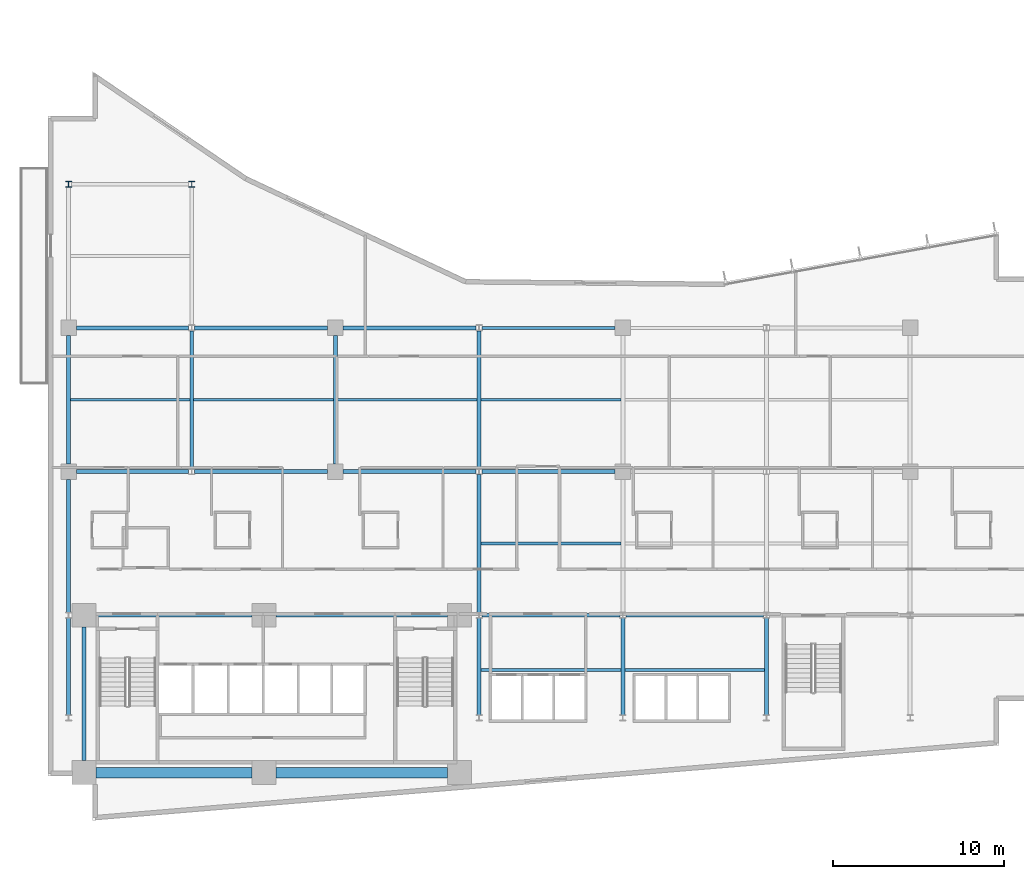
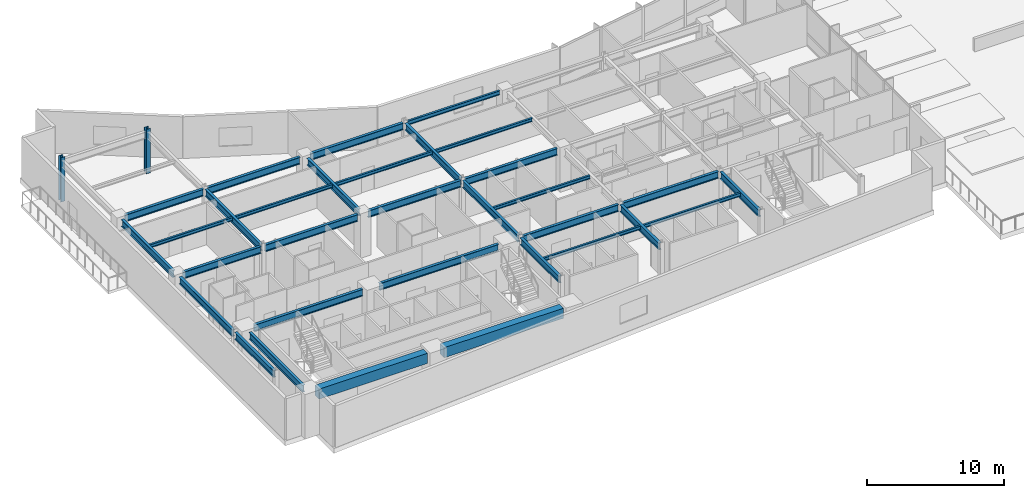
# One storey, part 3 of 20: 32 beams, 2 columns.
"""IFC4 building model written with IfcOpenShell, lengths in metres."""

from ifc_helpers import new_model, si_unit, direction, frame, origin, origin_2d, place, context, subcontext, project, spatial, rectangle, i_section, extrude, material, material_profile, profile_set, type_object, element, save


model = new_model("IFC4")

# Units and contexts
model_context = context("Model", 3, precision=1e-05, world=origin(), true_north=direction((0.0, 1.0)))
body_context = subcontext(model_context, "Body", "Model", "MODEL_VIEW")
ifc_project = project(units=[si_unit("LENGTHUNIT", "METRE"), si_unit("AREAUNIT", "SQUARE_METRE"), si_unit("VOLUMEUNIT", "CUBIC_METRE"), si_unit("PLANEANGLEUNIT", "RADIAN"), si_unit("MASSUNIT", "GRAM", prefix="KILO")], contexts=[model_context])

# Site, building, storey
site_placement = place(None, origin())
site = spatial("IfcSite", under=ifc_project, at=site_placement, CompositionType="ELEMENT")
building_placement = place(site_placement, origin())
building = spatial("IfcBuilding", under=site, at=building_placement, Name="Varnakote Quay Hospital", CompositionType="ELEMENT")
storey_placement = place(building_placement, frame((0.0, 0.0, 22.5)))
storey = spatial("IfcBuildingStorey", under=building, at=storey_placement, Name="L05", CompositionType="ELEMENT", Elevation=22.5)

# Columns
ifc_material_1 = material(Name="Structural steel AS/NZS 3678 Grade 350 (fy 340 MPa)", Category="steel")
ifc_material_profile_1 = material_profile(ifc_material_1, i_section(OverallWidth=0.35009765625, OverallDepth=0.340087890625, WebThickness=0.01611328125, FlangeThickness=0.028076171875, at=origin_2d()), Name="350WC197")
ifc_profile_set_1 = profile_set([ifc_material_profile_1], Name="Structural steel AS/NZS 3678 Grade 350 (fy 340 MPa)")
column_type = type_object("IfcColumnType", Name="COL-STL-350WC197", PredefinedType="COLUMN", material=ifc_profile_set_1)
for number, where, z_axis, x_axis, name in (
    (1, (1.199951171875, 37.199951171875, 0.0), (0.0, 0.0, 1.0), (1.0, 0.0, 0.0), "L05 Structural Column C-1-37"),
    (2, (8.39990234375, 37.199951171875, 0.0), (0.0, 0.0, 1.0), (1.0, 0.0, 0.0), "L05 Structural Column C-8-37"),
):
    element("IfcColumn", number, at=place(storey_placement, frame(where, z_axis=z_axis, x_axis=x_axis)), inside=storey, type_object=column_type, Name=name, PredefinedType="COLUMN", context=body_context, shape_type="SweptSolid", body=[
        extrude(i_section(OverallWidth=0.35009765625, OverallDepth=0.340087890625, WebThickness=0.01611328125, FlangeThickness=0.028076171875, at=origin_2d()), origin(), (0.0, 0.0, 1.0), 3.949951171875),
    ])

# Beams
ifc_material_2 = material(Name="Concrete N65 (f'c 65 MPa)", Category="concrete")
ifc_material_profile_2 = material_profile(ifc_material_2, rectangle(XDim=0.60009765625, YDim=0.89990234375, at=origin_2d()), Name="RC-BM-600x900")
ifc_profile_set_2 = profile_set([ifc_material_profile_2], Name="Concrete N65 (f'c 65 MPa)")
beam_type_1 = type_object("IfcBeamType", Name="BM-RC-600x900", PredefinedType="BEAM", material=ifc_profile_set_2)
beam_1_placement = place(storey_placement, frame((2.800048828125, 2.800048828125, 3.260009765625), z_axis=(1.0, 0.0, 0.0), x_axis=(0.0, 1.0, 0.0)))
element("IfcBeam", 3, at=beam_1_placement, inside=storey, type_object=beam_type_1, Name="L05 Core Rear Coupling Beam", PredefinedType="BEAM", context=body_context, shape_type="SweptSolid", body=[
    extrude(rectangle(XDim=0.60009765625, YDim=0.89990234375, at=origin_2d()), origin(), (0.0, 0.0, 1.0), 9.119873046875),
])
beam_2_placement = place(storey_placement, frame((13.320068359375, 2.800048828125, 3.260009765625), z_axis=(1.0, 0.0, 0.0), x_axis=(0.0, 1.0, 0.0)))
element("IfcBeam", 4, at=beam_2_placement, inside=storey, type_object=beam_type_1, Name="L05 Core Rear Coupling Beam", PredefinedType="BEAM", context=body_context, shape_type="SweptSolid", body=[
    extrude(rectangle(XDim=0.60009765625, YDim=0.89990234375, at=origin_2d()), origin(), (0.0, 0.0, 1.0), 10.030029296875),
])
ifc_material_3 = material(Name="Structural steel AS/NZS 3679.1 Grade 350 L0 (fy 340 MPa)", Category="steel")
ifc_material_profile_3 = material_profile(ifc_material_3, i_section(OverallWidth=0.22900390625, OverallDepth=0.612060546875, WebThickness=0.011962890625, FlangeThickness=0.01953125, FilletRadius=0.013916015625, at=origin_2d()), Name="610UB125")
ifc_profile_set_3 = profile_set([ifc_material_profile_3], Name="Structural steel AS/NZS 3679.1 Grade 350 L0 (fy 340 MPa)")
beam_type_2 = type_object("IfcBeamType", Name="BM-STL-610UB125", PredefinedType="BEAM", material=ifc_profile_set_3)
beam_3_placement = place(storey_placement, frame((2.800048828125, 12.0, 3.404052734375), z_axis=(1.0, 0.0, 0.0), x_axis=(0.0, 1.0, 0.0)))
element("IfcBeam", 5, at=beam_3_placement, inside=storey, type_object=beam_type_2, Name="L05 Plated Composite Transfer Beam", PredefinedType="BEAM", context=body_context, shape_type="SweptSolid", body=[
    extrude(i_section(OverallWidth=0.22900390625, OverallDepth=0.612060546875, WebThickness=0.011962890625, FlangeThickness=0.01953125, FilletRadius=0.013916015625, at=origin_2d()), origin(), (0.0, 0.0, 1.0), 9.119873046875),
])
beam_4_placement = place(storey_placement, frame((13.320068359375, 12.0, 3.404052734375), z_axis=(1.0, 0.0, 0.0), x_axis=(0.0, 1.0, 0.0)))
element("IfcBeam", 6, at=beam_4_placement, inside=storey, type_object=beam_type_2, Name="L05 Plated Composite Transfer Beam", PredefinedType="BEAM", context=body_context, shape_type="SweptSolid", body=[
    extrude(i_section(OverallWidth=0.22900390625, OverallDepth=0.612060546875, WebThickness=0.011962890625, FlangeThickness=0.01953125, FilletRadius=0.013916015625, at=origin_2d()), origin(), (0.0, 0.0, 1.0), 10.030029296875),
])
for number, where, z_axis, x_axis, name in (
    (7, (25.375, 12.0, 3.404052734375), (1.0, 0.0, 0.0), (0.0, 1.0, 0.0), "L05 Plated Composite Transfer Beam"),
    (8, (33.77490234375, 12.0, 3.404052734375), (1.0, 0.0, 0.0), (0.0, 1.0, 0.0), "L05 Plated Composite Transfer Beam"),
):
    element("IfcBeam", number, at=place(storey_placement, frame(where, z_axis=z_axis, x_axis=x_axis)), inside=storey, type_object=beam_type_2, Name=name, PredefinedType="BEAM", context=body_context, shape_type="SweptSolid", body=[
        extrude(i_section(OverallWidth=0.22900390625, OverallDepth=0.612060546875, WebThickness=0.011962890625, FlangeThickness=0.01953125, FilletRadius=0.013916015625, at=origin_2d()), origin(), (0.0, 0.0, 1.0), 8.050048828125),
    ])
beam_5_placement = place(storey_placement, frame((1.64990234375, 20.39990234375, 3.404052734375), z_axis=(1.0, 0.0, 0.0), x_axis=(0.0, 1.0, 0.0)))
element("IfcBeam", 9, at=beam_5_placement, inside=storey, type_object=beam_type_2, Name="L05 Plated Composite Transfer Beam", PredefinedType="BEAM", context=body_context, shape_type="SweptSolid", body=[
    extrude(i_section(OverallWidth=0.22900390625, OverallDepth=0.612060546875, WebThickness=0.011962890625, FlangeThickness=0.01953125, FilletRadius=0.013916015625, at=origin_2d()), origin(), (0.0, 0.0, 1.0), 6.5751953125),
])
beam_6_placement = place(storey_placement, frame((8.574951171875, 20.39990234375, 3.404052734375), z_axis=(1.0, 0.0, 0.0), x_axis=(0.0, 1.0, 0.0)))
element("IfcBeam", 10, at=beam_6_placement, inside=storey, type_object=beam_type_2, Name="L05 Plated Composite Transfer Beam", PredefinedType="BEAM", context=body_context, shape_type="SweptSolid", body=[
    extrude(i_section(OverallWidth=0.22900390625, OverallDepth=0.612060546875, WebThickness=0.011962890625, FlangeThickness=0.01953125, FilletRadius=0.013916015625, at=origin_2d()), origin(), (0.0, 0.0, 1.0), 7.775146484375),
])
for number, where, z_axis, x_axis, name in (
    (11, (17.25, 20.39990234375, 3.404052734375), (1.0, 0.0, 0.0), (0.0, 1.0, 0.0), "L05 Plated Composite Transfer Beam"),
    (12, (25.375, 20.39990234375, 3.404052734375), (1.0, 0.0, 0.0), (0.0, 1.0, 0.0), "L05 Plated Composite Transfer Beam"),
):
    element("IfcBeam", number, at=place(storey_placement, frame(where, z_axis=z_axis, x_axis=x_axis)), inside=storey, type_object=beam_type_2, Name=name, PredefinedType="BEAM", context=body_context, shape_type="SweptSolid", body=[
        extrude(i_section(OverallWidth=0.22900390625, OverallDepth=0.612060546875, WebThickness=0.011962890625, FlangeThickness=0.01953125, FilletRadius=0.013916015625, at=origin_2d()), origin(), (0.0, 0.0, 1.0), 7.77490234375),
    ])
beam_7_placement = place(storey_placement, frame((1.64990234375, 28.800048828125, 3.404052734375), z_axis=(1.0, 0.0, 0.0), x_axis=(0.0, 1.0, 0.0)))
element("IfcBeam", 13, at=beam_7_placement, inside=storey, type_object=beam_type_2, Name="L05 Plated Composite Transfer Beam", PredefinedType="BEAM", context=body_context, shape_type="SweptSolid", body=[
    extrude(i_section(OverallWidth=0.22900390625, OverallDepth=0.612060546875, WebThickness=0.011962890625, FlangeThickness=0.01953125, FilletRadius=0.013916015625, at=origin_2d()), origin(), (0.0, 0.0, 1.0), 6.5751953125),
])
beam_8_placement = place(storey_placement, frame((8.574951171875, 28.800048828125, 3.404052734375), z_axis=(1.0, 0.0, 0.0), x_axis=(0.0, 1.0, 0.0)))
element("IfcBeam", 14, at=beam_8_placement, inside=storey, type_object=beam_type_2, Name="L05 Plated Composite Transfer Beam", PredefinedType="BEAM", context=body_context, shape_type="SweptSolid", body=[
    extrude(i_section(OverallWidth=0.22900390625, OverallDepth=0.612060546875, WebThickness=0.011962890625, FlangeThickness=0.01953125, FilletRadius=0.013916015625, at=origin_2d()), origin(), (0.0, 0.0, 1.0), 7.775146484375),
])
beam_9_placement = place(storey_placement, frame((17.25, 28.800048828125, 3.404052734375), z_axis=(1.0, 0.0, 0.0), x_axis=(0.0, 1.0, 0.0)))
element("IfcBeam", 15, at=beam_9_placement, inside=storey, type_object=beam_type_2, Name="L05 Plated Composite Transfer Beam", PredefinedType="BEAM", context=body_context, shape_type="SweptSolid", body=[
    extrude(i_section(OverallWidth=0.22900390625, OverallDepth=0.612060546875, WebThickness=0.011962890625, FlangeThickness=0.01953125, FilletRadius=0.013916015625, at=origin_2d()), origin(), (0.0, 0.0, 1.0), 7.77490234375),
])
beam_10_placement = place(storey_placement, frame((1.199951171875, 6.169921875, 3.404052734375), z_axis=(0.0, 1.0, 0.0), x_axis=(-1.0, 0.0, 0.0)))
element("IfcBeam", 16, at=beam_10_placement, inside=storey, type_object=beam_type_2, Name="L05 Primary Tie Beam", PredefinedType="BEAM", context=body_context, shape_type="SweptSolid", body=[
    extrude(i_section(OverallWidth=0.22900390625, OverallDepth=0.612060546875, WebThickness=0.011962890625, FlangeThickness=0.01953125, FilletRadius=0.013916015625, at=origin_2d()), origin(), (0.0, 0.0, 1.0), 5.66015625),
])
beam_11_placement = place(storey_placement, frame((1.199951171875, 12.169921875, 3.404052734375), z_axis=(0.0, 1.0, 0.0), x_axis=(-1.0, 0.0, 0.0)))
element("IfcBeam", 17, at=beam_11_placement, inside=storey, type_object=beam_type_2, Name="L05 Primary Tie Beam", PredefinedType="BEAM", context=body_context, shape_type="SweptSolid", body=[
    extrude(i_section(OverallWidth=0.22900390625, OverallDepth=0.612060546875, WebThickness=0.011962890625, FlangeThickness=0.01953125, FilletRadius=0.013916015625, at=origin_2d()), origin(), (0.0, 0.0, 1.0), 7.780029296875),
])
beam_12_placement = place(storey_placement, frame((1.199951171875, 20.85009765625, 3.404052734375), z_axis=(0.0, 1.0, 0.0), x_axis=(-1.0, 0.0, 0.0)))
element("IfcBeam", 18, at=beam_12_placement, inside=storey, type_object=beam_type_2, Name="L05 Primary Tie Beam", PredefinedType="BEAM", context=body_context, shape_type="SweptSolid", body=[
    extrude(i_section(OverallWidth=0.22900390625, OverallDepth=0.612060546875, WebThickness=0.011962890625, FlangeThickness=0.01953125, FilletRadius=0.013916015625, at=origin_2d()), origin(), (0.0, 0.0, 1.0), 7.5),
])
beam_13_placement = place(storey_placement, frame((2.10009765625, 3.5, 3.404052734375), z_axis=(0.0, 1.0, 0.0), x_axis=(-1.0, 0.0, 0.0)))
element("IfcBeam", 19, at=beam_13_placement, inside=storey, type_object=beam_type_2, Name="L05 Primary Tie Beam", PredefinedType="BEAM", context=body_context, shape_type="SweptSolid", body=[
    extrude(i_section(OverallWidth=0.22900390625, OverallDepth=0.612060546875, WebThickness=0.011962890625, FlangeThickness=0.01953125, FilletRadius=0.013916015625, at=origin_2d()), origin(), (0.0, 0.0, 1.0), 7.800048828125),
])
beam_14_placement = place(storey_placement, frame((8.39990234375, 20.570068359375, 3.404052734375), z_axis=(0.0, 1.0, 0.0), x_axis=(-1.0, 0.0, 0.0)))
element("IfcBeam", 20, at=beam_14_placement, inside=storey, type_object=beam_type_2, Name="L05 Primary Tie Beam", PredefinedType="BEAM", context=body_context, shape_type="SweptSolid", body=[
    extrude(i_section(OverallWidth=0.22900390625, OverallDepth=0.612060546875, WebThickness=0.011962890625, FlangeThickness=0.01953125, FilletRadius=0.013916015625, at=origin_2d()), origin(), (0.0, 0.0, 1.0), 8.059814453125),
])
beam_15_placement = place(storey_placement, frame((16.800048828125, 20.85009765625, 3.404052734375), z_axis=(0.0, 1.0, 0.0), x_axis=(-1.0, 0.0, 0.0)))
element("IfcBeam", 21, at=beam_15_placement, inside=storey, type_object=beam_type_2, Name="L05 Primary Tie Beam", PredefinedType="BEAM", context=body_context, shape_type="SweptSolid", body=[
    extrude(i_section(OverallWidth=0.22900390625, OverallDepth=0.612060546875, WebThickness=0.011962890625, FlangeThickness=0.01953125, FilletRadius=0.013916015625, at=origin_2d()), origin(), (0.0, 0.0, 1.0), 7.5),
])
beam_16_placement = place(storey_placement, frame((25.199951171875, 6.169921875, 3.404052734375), z_axis=(0.0, 1.0, 0.0), x_axis=(-1.0, 0.0, 0.0)))
element("IfcBeam", 22, at=beam_16_placement, inside=storey, type_object=beam_type_2, Name="L05 Primary Tie Beam", PredefinedType="BEAM", context=body_context, shape_type="SweptSolid", body=[
    extrude(i_section(OverallWidth=0.22900390625, OverallDepth=0.612060546875, WebThickness=0.011962890625, FlangeThickness=0.01953125, FilletRadius=0.013916015625, at=origin_2d()), origin(), (0.0, 0.0, 1.0), 5.66015625),
])
beam_17_placement = place(storey_placement, frame((25.199951171875, 12.169921875, 3.404052734375), z_axis=(0.0, 1.0, 0.0), x_axis=(-1.0, 0.0, 0.0)))
element("IfcBeam", 23, at=beam_17_placement, inside=storey, type_object=beam_type_2, Name="L05 Primary Tie Beam", PredefinedType="BEAM", context=body_context, shape_type="SweptSolid", body=[
    extrude(i_section(OverallWidth=0.22900390625, OverallDepth=0.612060546875, WebThickness=0.011962890625, FlangeThickness=0.01953125, FilletRadius=0.013916015625, at=origin_2d()), origin(), (0.0, 0.0, 1.0), 8.06005859375),
])
beam_18_placement = place(storey_placement, frame((25.199951171875, 20.570068359375, 3.404052734375), z_axis=(0.0, 1.0, 0.0), x_axis=(-1.0, 0.0, 0.0)))
element("IfcBeam", 24, at=beam_18_placement, inside=storey, type_object=beam_type_2, Name="L05 Primary Tie Beam", PredefinedType="BEAM", context=body_context, shape_type="SweptSolid", body=[
    extrude(i_section(OverallWidth=0.22900390625, OverallDepth=0.612060546875, WebThickness=0.011962890625, FlangeThickness=0.01953125, FilletRadius=0.013916015625, at=origin_2d()), origin(), (0.0, 0.0, 1.0), 8.059814453125),
])
for number, where, z_axis, x_axis, name in (
    (25, (33.60009765625, 6.169921875, 3.404052734375), (0.0, 1.0, 0.0), (-1.0, 0.0, 0.0), "L05 Primary Tie Beam"),
    (26, (42.0, 6.169921875, 3.404052734375), (0.0, 1.0, 0.0), (-1.0, 0.0, 0.0), "L05 Primary Tie Beam"),
):
    element("IfcBeam", number, at=place(storey_placement, frame(where, z_axis=z_axis, x_axis=x_axis)), inside=storey, type_object=beam_type_2, Name=name, PredefinedType="BEAM", context=body_context, shape_type="SweptSolid", body=[
        extrude(i_section(OverallWidth=0.22900390625, OverallDepth=0.612060546875, WebThickness=0.011962890625, FlangeThickness=0.01953125, FilletRadius=0.013916015625, at=origin_2d()), origin(), (0.0, 0.0, 1.0), 5.66015625),
    ])
ifc_material_4 = material(Name="Structural steel AS/NZS 3679.1 Grade 350 L0 (fy 340 MPa)", Category="steel")
ifc_material_profile_4 = material_profile(ifc_material_4, i_section(OverallWidth=0.1650390625, OverallDepth=0.303955078125, WebThickness=0.006103515625, FlangeThickness=0.01025390625, FilletRadius=0.011474609375, at=origin_2d()), Name="310UB40.4")
ifc_profile_set_4 = profile_set([ifc_material_profile_4], Name="Structural steel AS/NZS 3679.1 Grade 350 L0 (fy 340 MPa)")
beam_type_3 = type_object("IfcBeamType", Name="JST-STL-310UB40-4", PredefinedType="JOIST", material=ifc_profile_set_4)
beam_19_placement = place(storey_placement, frame((25.314453125, 8.800048828125, 3.55810546875), z_axis=(1.0, 0.0, 0.0), x_axis=(0.0, 1.0, 0.0)))
element("IfcBeam", 27, at=beam_19_placement, inside=storey, type_object=beam_type_3, Name="L05 Composite Floor Joist", PredefinedType="JOIST", context=body_context, shape_type="SweptSolid", body=[
    extrude(i_section(OverallWidth=0.1650390625, OverallDepth=0.303955078125, WebThickness=0.006103515625, FlangeThickness=0.01025390625, FilletRadius=0.011474609375, at=origin_2d()), origin(), (0.0, 0.0, 1.0), 8.171142578125),
])
beam_20_placement = place(storey_placement, frame((33.714599609375, 8.800048828125, 3.55810546875), z_axis=(1.0, 0.0, 0.0), x_axis=(0.0, 1.0, 0.0)))
element("IfcBeam", 28, at=beam_20_placement, inside=storey, type_object=beam_type_3, Name="L05 Composite Floor Joist", PredefinedType="JOIST", context=body_context, shape_type="SweptSolid", body=[
    extrude(i_section(OverallWidth=0.1650390625, OverallDepth=0.303955078125, WebThickness=0.006103515625, FlangeThickness=0.01025390625, FilletRadius=0.011474609375, at=origin_2d()), origin(), (0.0, 0.0, 1.0), 8.1708984375),
])
beam_21_placement = place(storey_placement, frame((25.314453125, 16.199951171875, 3.55810546875), z_axis=(1.0, 0.0, 0.0), x_axis=(0.0, 1.0, 0.0)))
element("IfcBeam", 29, at=beam_21_placement, inside=storey, type_object=beam_type_3, Name="L05 Composite Floor Joist", PredefinedType="JOIST", context=body_context, shape_type="SweptSolid", body=[
    extrude(i_section(OverallWidth=0.1650390625, OverallDepth=0.303955078125, WebThickness=0.006103515625, FlangeThickness=0.01025390625, FilletRadius=0.011474609375, at=origin_2d()), origin(), (0.0, 0.0, 1.0), 8.171142578125),
])
beam_22_placement = place(storey_placement, frame((1.314453125, 24.60009765625, 3.55810546875), z_axis=(1.0, 0.0, 0.0), x_axis=(0.0, 1.0, 0.0)))
element("IfcBeam", 30, at=beam_22_placement, inside=storey, type_object=beam_type_3, Name="L05 Composite Floor Joist", PredefinedType="JOIST", context=body_context, shape_type="SweptSolid", body=[
    extrude(i_section(OverallWidth=0.1650390625, OverallDepth=0.303955078125, WebThickness=0.006103515625, FlangeThickness=0.01025390625, FilletRadius=0.011474609375, at=origin_2d()), origin(), (0.0, 0.0, 1.0), 6.970947265625),
])
beam_23_placement = place(storey_placement, frame((8.514404296875, 24.60009765625, 3.55810546875), z_axis=(1.0, 0.0, 0.0), x_axis=(0.0, 1.0, 0.0)))
element("IfcBeam", 31, at=beam_23_placement, inside=storey, type_object=beam_type_3, Name="L05 Composite Floor Joist", PredefinedType="JOIST", context=body_context, shape_type="SweptSolid", body=[
    extrude(i_section(OverallWidth=0.1650390625, OverallDepth=0.303955078125, WebThickness=0.006103515625, FlangeThickness=0.01025390625, FilletRadius=0.011474609375, at=origin_2d()), origin(), (0.0, 0.0, 1.0), 8.171142578125),
])
beam_24_placement = place(storey_placement, frame((16.91455078125, 24.60009765625, 3.55810546875), z_axis=(1.0, 0.0, 0.0), x_axis=(0.0, 1.0, 0.0)))
element("IfcBeam", 32, at=beam_24_placement, inside=storey, type_object=beam_type_3, Name="L05 Composite Floor Joist", PredefinedType="JOIST", context=body_context, shape_type="SweptSolid", body=[
    extrude(i_section(OverallWidth=0.1650390625, OverallDepth=0.303955078125, WebThickness=0.006103515625, FlangeThickness=0.01025390625, FilletRadius=0.011474609375, at=origin_2d()), origin(), (0.0, 0.0, 1.0), 8.1708984375),
])
beam_25_placement = place(storey_placement, frame((25.314453125, 24.60009765625, 3.55810546875), z_axis=(1.0, 0.0, 0.0), x_axis=(0.0, 1.0, 0.0)))
element("IfcBeam", 33, at=beam_25_placement, inside=storey, type_object=beam_type_3, Name="L05 Composite Floor Joist", PredefinedType="JOIST", context=body_context, shape_type="SweptSolid", body=[
    extrude(i_section(OverallWidth=0.1650390625, OverallDepth=0.303955078125, WebThickness=0.006103515625, FlangeThickness=0.01025390625, FilletRadius=0.011474609375, at=origin_2d()), origin(), (0.0, 0.0, 1.0), 8.171142578125),
])
ifc_material_5 = material(Name="Structural steel AS/NZS 3679.1 Grade 350 L0 (fy 340 MPa)", Category="steel")
ifc_material_profile_5 = material_profile(ifc_material_5, i_section(OverallWidth=0.172119140625, OverallDepth=0.35888671875, WebThickness=0.008056640625, FlangeThickness=0.012939453125, FilletRadius=0.011474609375, at=origin_2d()), Name="360UB56.7")
ifc_profile_set_5 = profile_set([ifc_material_profile_5], Name="Structural steel AS/NZS 3679.1 Grade 350 L0 (fy 340 MPa)")
beam_type_4 = type_object("IfcBeamType", Name="SPN-STL-360UB56-7", PredefinedType="SPANDREL", material=ifc_profile_set_5)
beam_26_placement = place(storey_placement, frame((25.375, 28.800048828125, 3.530517578125), z_axis=(1.0, 0.0, 0.0), x_axis=(0.0, 1.0, 0.0)))
element("IfcBeam", 34, at=beam_26_placement, inside=storey, type_object=beam_type_4, Name="L05 Perimeter Spandrel Beam", PredefinedType="SPANDREL", context=body_context, shape_type="SweptSolid", body=[
    extrude(i_section(OverallWidth=0.172119140625, OverallDepth=0.35888671875, WebThickness=0.008056640625, FlangeThickness=0.012939453125, FilletRadius=0.011474609375, at=origin_2d()), origin(), (0.0, 0.0, 1.0), 7.77490234375),
])

save(model, "model.ifc")
